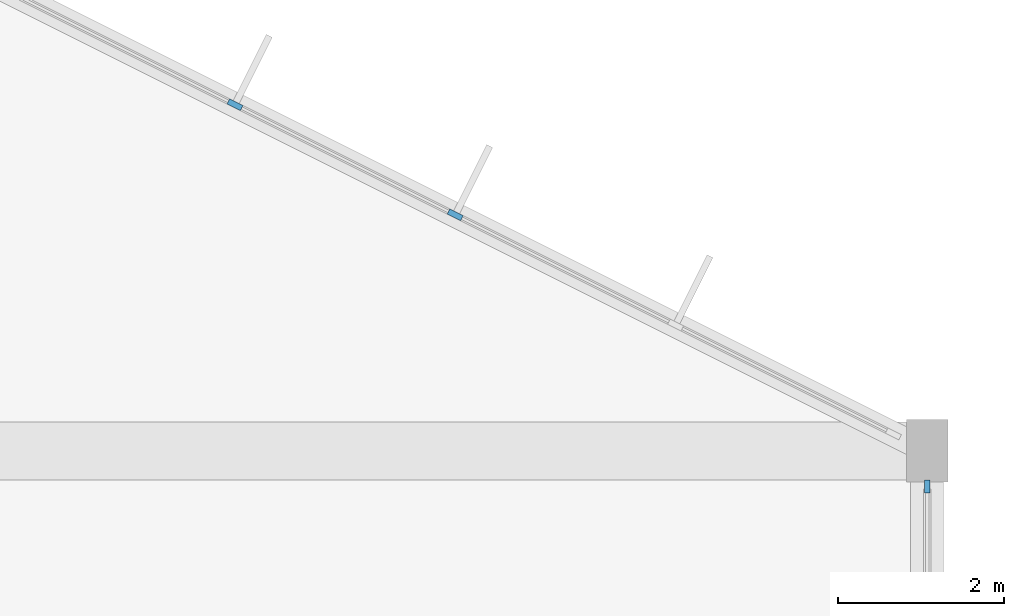
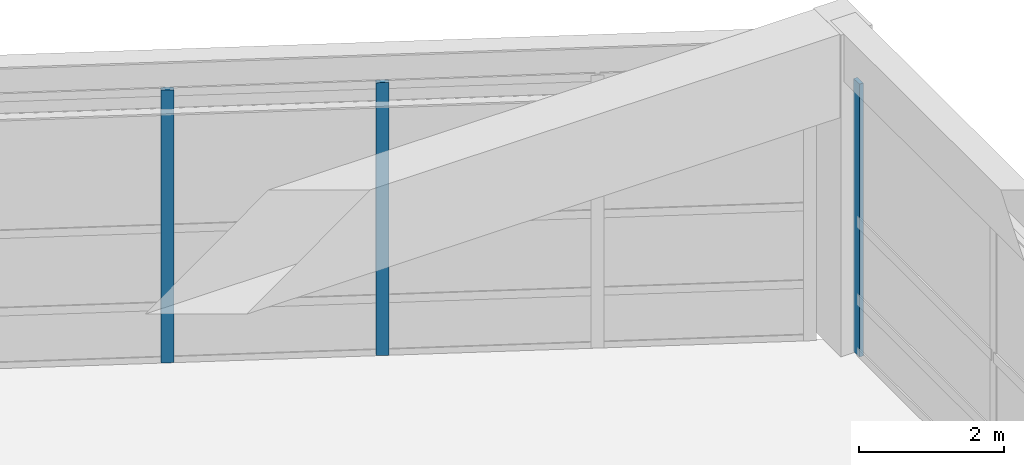
# One storey, part 36 of 62: 3 members, 2 elements without a shape of their own.
"""IFC4 building model written with IfcOpenShell, lengths in metres."""

from ifc_helpers import new_model, si_unit, direction, frame, origin, origin_2d, place, context, subcontext, project, spatial, rectangle, extrude, material, material_profile, profile_set, type_object, element, aggregate, save


model = new_model("IFC4")

# Units and contexts
model_context = context("Model", 3, precision=1e-05, world=origin(), true_north=direction((0.0, 1.0)))
body_context = subcontext(model_context, "Body", "Model", "MODEL_VIEW")
ifc_project = project(units=[si_unit("LENGTHUNIT", "METRE"), si_unit("AREAUNIT", "SQUARE_METRE"), si_unit("VOLUMEUNIT", "CUBIC_METRE"), si_unit("PLANEANGLEUNIT", "RADIAN"), si_unit("MASSUNIT", "GRAM", prefix="KILO")], contexts=[model_context])

# Site, building, storey
site_placement = place(None, origin())
site = spatial("IfcSite", under=ifc_project, at=site_placement, CompositionType="ELEMENT")
building_placement = place(site_placement, origin())
building = spatial("IfcBuilding", under=site, at=building_placement, Name="Xuanlan Plaza Opera House", CompositionType="ELEMENT")
storey_placement = place(building_placement, origin())
storey = spatial("IfcBuildingStorey", under=building, at=storey_placement, Name="L00", CompositionType="ELEMENT", Elevation=0.0)

# Curtain wall, member
ifc_material_1 = material(Name="Anodised Aluminium 6063-T6 and Low-E Glass", Category="aluminium")
curtain_wall_type_1 = type_object("IfcCurtainWallType", Name="ENV-CW-CW-03", PredefinedType="USERDEFINED", material=ifc_material_1)
curtain_wall_1_placement = place(storey_placement, origin())
curtain_wall_1 = element("IfcCurtainWall", 1, at=curtain_wall_1_placement, inside=storey, type_object=curtain_wall_type_1, Name="Unitised Curtain Wall L00-029", ObjectType="UNITISED CURTAIN WALL", PredefinedType="USERDEFINED")
ifc_material_2 = material(Name="Anodised Aluminium 6063-T6", Category="aluminium")
ifc_material_profile_1 = material_profile(ifc_material_2, rectangle(XDim=0.06494140625, YDim=0.159912109375, at=origin_2d()), Name="ALU-M 65x160")
ifc_profile_set_1 = profile_set([ifc_material_profile_1], Name="Anodised Aluminium 6063-T6")
member_type_1 = type_object("IfcMemberType", Name="ENV-CWM-01", PredefinedType="MULLION", material=ifc_profile_set_1)
member_1_placement = place(storey_placement, frame((168.0, 108.7724609375, 0.0), z_axis=(0.0, 0.0, 1.0), x_axis=(-1.0, 0.0, 0.0)))
member_1 = element("IfcMember", 2, at=member_1_placement, type_object=member_type_1, Name="CW-03 mullion 3", PredefinedType="MULLION", context=body_context, shape_type="SweptSolid", body=[
    extrude(rectangle(XDim=0.06494140625, YDim=0.159912109375, at=origin_2d()), origin(), (0.0, 0.0, 1.0), 4.580078125),
])
aggregate(curtain_wall_1, [member_1])

# Curtain wall, members
curtain_wall_type_2 = type_object("IfcCurtainWallType", Name="ENV-CW-CW-04", PredefinedType="USERDEFINED", material=ifc_material_1)
curtain_wall_2_placement = place(storey_placement, origin())
curtain_wall_2 = element("IfcCurtainWall", 3, at=curtain_wall_2_placement, inside=storey, type_object=curtain_wall_type_2, Name="Unitised Curtain Wall L00-030", ObjectType="UNITISED CURTAIN WALL", PredefinedType="USERDEFINED")
ifc_material_profile_2 = material_profile(ifc_material_2, rectangle(XDim=0.070068359375, YDim=0.179931640625, at=origin_2d()), Name="ALU-M 70x180")
ifc_profile_set_2 = profile_set([ifc_material_profile_2], Name="Anodised Aluminium 6063-T6")
member_type_2 = type_object("IfcMemberType", Name="ENV-CWM-02", PredefinedType="MULLION", material=ifc_profile_set_2)
member_2_placement = place(storey_placement, frame((162.324951171875, 112.03759765625, 0.0), z_axis=(0.0, 0.0, 1.0), x_axis=(-0.447213595499, -0.894427191001, 0.0)))
member_2 = element("IfcMember", 4, at=member_2_placement, type_object=member_type_2, Name="CW-04 mullion 3", PredefinedType="MULLION", context=body_context, shape_type="SweptSolid", body=[
    extrude(rectangle(XDim=0.070068359375, YDim=0.179931640625, at=origin_2d()), origin(), (0.0, 0.0, 1.0), 4.580078125),
])
member_3_placement = place(storey_placement, frame((159.675048828125, 113.362548828125, 0.0), z_axis=(0.0, 0.0, 1.0), x_axis=(-0.447213595499, -0.894427191001, 0.0)))
member_3 = element("IfcMember", 5, at=member_3_placement, type_object=member_type_2, Name="CW-04 mullion 4", PredefinedType="MULLION", context=body_context, shape_type="SweptSolid", body=[
    extrude(rectangle(XDim=0.070068359375, YDim=0.179931640625, at=origin_2d()), origin(), (0.0, 0.0, 1.0), 4.580078125),
])
aggregate(curtain_wall_2, [member_2, member_3])

save(model, "model.ifc")
